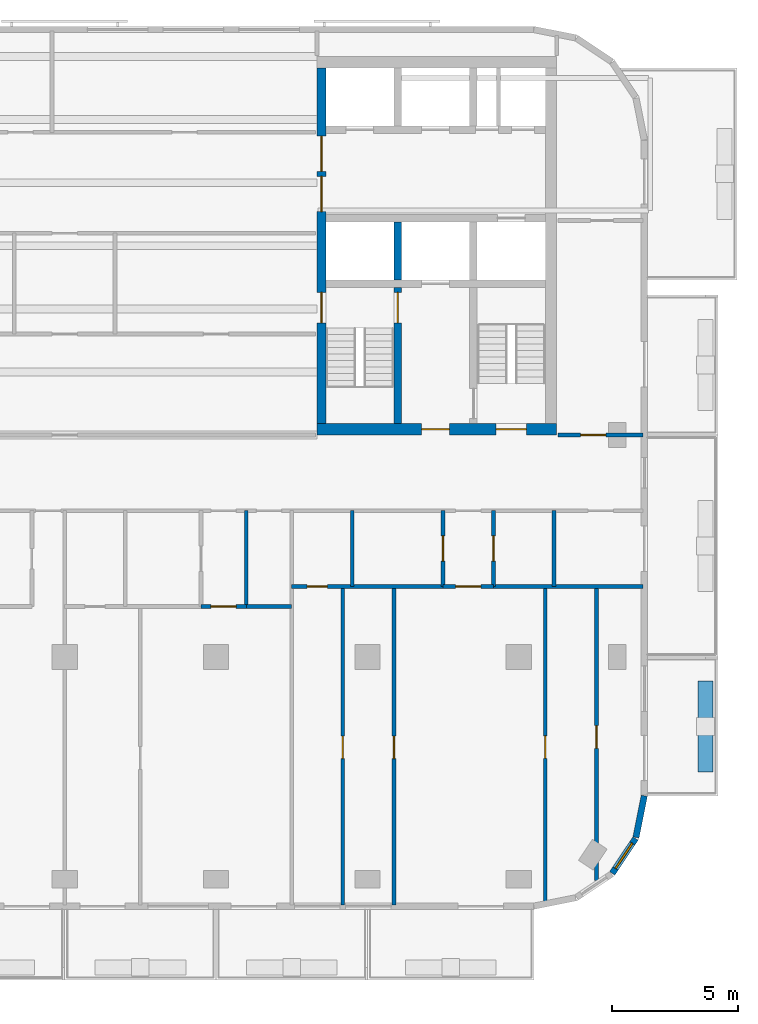
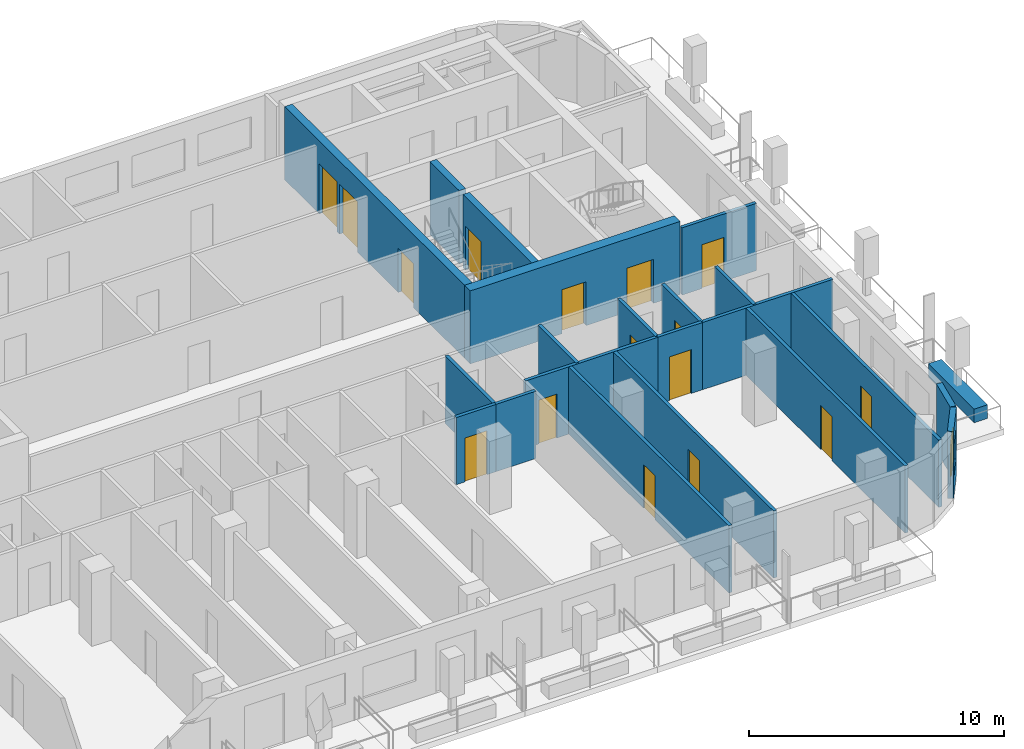
# One storey, part 5 of 11: 22 walls, 16 doors, 1 window, 17 openings.
"""IFC4 building model written with IfcOpenShell, lengths in metres."""

from ifc_helpers import new_model, si_unit, direction, frame, frame_2d, origin, place, context, subcontext, project, spatial, rectangle, extrude, material, layer, layer_set, type_object, element, fill, save


model = new_model("IFC4")

# Units and contexts
model_context = context("Model", 3, precision=1e-05, world=origin(), true_north=direction((0.0, 1.0)))
body_context = subcontext(model_context, "Body", "Model", "MODEL_VIEW")
ifc_project = project(units=[si_unit("LENGTHUNIT", "METRE"), si_unit("AREAUNIT", "SQUARE_METRE"), si_unit("VOLUMEUNIT", "CUBIC_METRE"), si_unit("PLANEANGLEUNIT", "RADIAN"), si_unit("MASSUNIT", "GRAM", prefix="KILO")], contexts=[model_context])

# Site, building, storey
site_placement = place(None, origin())
site = spatial("IfcSite", under=ifc_project, at=site_placement, CompositionType="ELEMENT")
building_placement = place(site_placement, origin())
building = spatial("IfcBuilding", under=site, at=building_placement, Name="Torana Hotel and Residences", CompositionType="ELEMENT")
storey_placement = place(building_placement, frame((0.0, 0.0, 294.60009765625)))
storey = spatial("IfcBuildingStorey", under=building, at=storey_placement, Name="L78", CompositionType="ELEMENT", Elevation=294.60009765625)

# Wall
ifc_material_1 = material(Name="Concrete C60/75", Category="concrete")
ifc_layer_1 = layer(ifc_material_1, 0.300048828125)
ifc_layer_set_1 = layer_set([ifc_layer_1], Name="CORE WALL 300 C60/75")
wall_type_1 = type_object("IfcWallType", Name="CORE WALL 300 C60/75", PredefinedType="SHEAR", material=ifc_layer_set_1)
wall_1_placement = place(storey_placement, frame((13.199951171875, -8.85009765625, 0.0), z_axis=(0.0, 0.0, 1.0), x_axis=(0.0, 1.0, 0.0)))
element("IfcWall", 1, at=wall_1_placement, inside=storey, type_object=wall_type_1, Name="Core wall E x3.05-S", PredefinedType="SHEAR", context=body_context, shape_type="SweptSolid", body=[
    extrude(rectangle(XDim=2.300048828125, YDim=0.300048828125, at=frame_2d((1.14990234375, 0.0))), origin(), (0.0, 0.0, 1.0), 3.5),
])

# Wall, opening, door
wall_2_placement = place(storey_placement, frame((13.199951171875, -14.550048828125, 0.0), z_axis=(0.0, 0.0, 1.0), x_axis=(0.0, 1.0, 0.0)))
wall_2 = element("IfcWall", 2, at=wall_2_placement, inside=storey, type_object=wall_type_1, Name="Core wall E x3.05-band", PredefinedType="SHEAR", context=body_context, shape_type="SweptSolid", body=[
    extrude(rectangle(XDim=5.400146484375, YDim=0.300048828125, at=frame_2d((2.7001953125, 0.0))), origin(), (0.0, 0.0, 1.0), 3.5),
])
opening_1_placement = place(wall_2_placement, frame((4.0, 0.0, 0.0)))
opening_1 = element("IfcOpeningElement", 3, at=opening_1_placement, cuts=wall_2, Name="Opening L78-17", PredefinedType="OPENING", context=body_context, shape_type="SweptSolid", body=[
    extrude(rectangle(XDim=1.199951171875, YDim=2.10009765625, at=frame_2d((0.60009765625, 1.050048828125))), frame((0.0, 0.159912109375, 0.0), z_axis=(0.0, -1.0, 0.0), x_axis=(1.0, 0.0, 0.0)), (0.0, 0.0, 1.0), 0.320068359375),
])
ifc_material_2 = material(Name="Steel S235", Category="steel")
door_type_1 = type_object("IfcDoorType", Name="STAIR FIRE DOOR D3 1200x2100", OperationType="SINGLE_SWING_LEFT", PredefinedType="DOOR", material=ifc_material_2)
door_1_placement = place(opening_1_placement, origin())
door_1 = element("IfcDoor", 4, at=door_1_placement, inside=storey, type_object=door_type_1, Name="Stair-A-lobby door L78", OperationType="SINGLE_SWING_LEFT", OverallHeight=2.10009765625, OverallWidth=1.199951171875, PredefinedType="DOOR", context=body_context, shape_type="SweptSolid", body=[
    extrude(rectangle(XDim=1.199951171875, YDim=2.10009765625, at=frame_2d((0.60009765625, 1.050048828125))), frame((0.0, 0.02490234375, 0.0), z_axis=(0.0, -1.0, 0.0), x_axis=(1.0, 0.0, 0.0)), (0.0, 0.0, 1.0), 0.050048828125),
])
fill(opening_1, door_1)

# Wall, openings, doors
ifc_material_3 = material(Name="Concrete C60/75", Category="concrete")
ifc_layer_2 = layer(ifc_material_3, 0.35009765625)
ifc_layer_set_2 = layer_set([ifc_layer_2], Name="CORE WALL 350 C60/75")
wall_type_2 = type_object("IfcWallType", Name="CORE WALL 350 C60/75", PredefinedType="SHEAR", material=ifc_layer_set_2)
wall_3_placement = place(storey_placement, frame((10.175048828125, -14.550048828125, 0.0), z_axis=(0.0, 0.0, 1.0), x_axis=(0.0, 1.0, 0.0)))
wall_3 = element("IfcWall", 5, at=wall_3_placement, inside=storey, type_object=wall_type_2, Name="Core wall E arch", PredefinedType="SHEAR", context=body_context, shape_type="SweptSolid", body=[
    extrude(rectangle(XDim=14.10009765625, YDim=0.35009765625, at=frame_2d((7.050048828125, 0.0))), origin(), (0.0, 0.0, 1.0), 3.5),
])
opening_2_placement = place(wall_3_placement, frame((8.39990234375, 0.0, 0.0)))
opening_2 = element("IfcOpeningElement", 6, at=opening_2_placement, cuts=wall_3, Name="Opening L78-10", PredefinedType="OPENING", context=body_context, shape_type="SweptSolid", body=[
    extrude(rectangle(XDim=1.39990234375, YDim=2.39990234375, at=frame_2d((0.699951171875, 1.199951171875))), frame((0.0, 0.18505859375, 0.0), z_axis=(0.0, -1.0, 0.0), x_axis=(1.0, 0.0, 0.0)), (0.0, 0.0, 1.0), 0.3701171875),
])
opening_3_placement = place(wall_3_placement, frame((10.0, 0.0, 0.0)))
opening_3 = element("IfcOpeningElement", 7, at=opening_3_placement, cuts=wall_3, Name="Opening L78-11", PredefinedType="OPENING", context=body_context, shape_type="SweptSolid", body=[
    extrude(rectangle(XDim=1.39990234375, YDim=2.39990234375, at=frame_2d((0.699951171875, 1.199951171875))), frame((0.0, 0.18505859375, 0.0), z_axis=(0.0, -1.0, 0.0), x_axis=(1.0, 0.0, 0.0)), (0.0, 0.0, 1.0), 0.3701171875),
])
opening_4_placement = place(wall_3_placement, frame((4.0, 0.0, 0.0)))
opening_4 = element("IfcOpeningElement", 8, at=opening_4_placement, cuts=wall_3, Name="Opening L78-12", PredefinedType="OPENING", context=body_context, shape_type="SweptSolid", body=[
    extrude(rectangle(XDim=1.199951171875, YDim=2.10009765625, at=frame_2d((0.60009765625, 1.050048828125))), frame((0.0, 0.18505859375, 0.0), z_axis=(0.0, -1.0, 0.0), x_axis=(1.0, 0.0, 0.0)), (0.0, 0.0, 1.0), 0.3701171875),
])
ifc_material_4 = material(Name="Steel S235", Category="steel")
door_type_2 = type_object("IfcDoorType", Name="LOBBY FIRE DOOR D4 1400x2400", OperationType="DOUBLE_DOOR_SINGLE_SWING", PredefinedType="DOOR", material=ifc_material_4)
door_2_placement = place(opening_2_placement, origin())
door_2 = element("IfcDoor", 9, at=door_2_placement, inside=storey, type_object=door_type_2, Name="Lobby-1 door L78", OperationType="DOUBLE_DOOR_SINGLE_SWING", OverallHeight=2.39990234375, OverallWidth=1.39990234375, PredefinedType="DOOR", context=body_context, shape_type="SweptSolid", body=[
    extrude(rectangle(XDim=1.39990234375, YDim=2.39990234375, at=frame_2d((0.699951171875, 1.199951171875))), frame((0.0, 0.02490234375, 0.0), z_axis=(0.0, -1.0, 0.0), x_axis=(1.0, 0.0, 0.0)), (0.0, 0.0, 1.0), 0.050048828125),
])
fill(opening_2, door_2)
door_3_placement = place(opening_3_placement, origin())
door_3 = element("IfcDoor", 10, at=door_3_placement, inside=storey, type_object=door_type_2, Name="Lobby-2 door L78", OperationType="DOUBLE_DOOR_SINGLE_SWING", OverallHeight=2.39990234375, OverallWidth=1.39990234375, PredefinedType="DOOR", context=body_context, shape_type="SweptSolid", body=[
    extrude(rectangle(XDim=1.39990234375, YDim=2.39990234375, at=frame_2d((0.699951171875, 1.199951171875))), frame((0.0, 0.02490234375, 0.0), z_axis=(0.0, -1.0, 0.0), x_axis=(1.0, 0.0, 0.0)), (0.0, 0.0, 1.0), 0.050048828125),
])
fill(opening_3, door_3)
door_4_placement = place(opening_4_placement, frame((0.60009765625, 0.0, 0.0), z_axis=(0.0, 0.0, 1.0), x_axis=(-1.0, 0.0, 0.0)))
door_4 = element("IfcDoor", 11, at=door_4_placement, inside=storey, type_object=door_type_1, Name="Stair-A door L78", OperationType="SINGLE_SWING_RIGHT", OverallHeight=2.10009765625, OverallWidth=1.199951171875, PredefinedType="DOOR", context=body_context, shape_type="SweptSolid", body=[
    extrude(rectangle(XDim=1.199951171875, YDim=2.10009765625, at=frame_2d((0.0, 1.050048828125))), frame((0.0, -0.02490234375, 0.0), z_axis=(0.0, 1.0, 0.0), x_axis=(-1.0, 0.0, 0.0)), (0.0, 0.0, 1.0), 0.050048828125),
])
fill(opening_4, door_4)

ifc_material_5 = material(Name="Concrete C60/75", Category="concrete")
ifc_layer_3 = layer(ifc_material_5, 0.449951171875)
ifc_layer_set_3 = layer_set([ifc_layer_3], Name="CORE WALL 450 C60/75")
wall_type_3 = type_object("IfcWallType", Name="CORE WALL 450 C60/75", PredefinedType="SHEAR", material=ifc_layer_set_3)
wall_4_placement = place(storey_placement, frame((10.0, -14.77490234375, 0.0), z_axis=(0.0, 0.0, 1.0), x_axis=(1.0, 0.0, 0.0)))
wall_4 = element("IfcWall", 12, at=wall_4_placement, inside=storey, type_object=wall_type_3, Name="Core wall E front", PredefinedType="SHEAR", context=body_context, shape_type="SweptSolid", body=[
    extrude(rectangle(XDim=9.5, YDim=0.449951171875, at=frame_2d((4.75, 0.0))), origin(), (0.0, 0.0, 1.0), 3.5),
])
opening_5_placement = place(wall_4_placement, frame((7.10009765625, 0.0, 0.0)))
opening_5 = element("IfcOpeningElement", 13, at=opening_5_placement, cuts=wall_4, Name="Opening L78-13", PredefinedType="OPENING", context=body_context, shape_type="SweptSolid", body=[
    extrude(rectangle(XDim=1.199951171875, YDim=2.10009765625, at=frame_2d((0.60009765625, 1.050048828125))), frame((0.0, 0.23486328125, 0.0), z_axis=(0.0, -1.0, 0.0), x_axis=(1.0, 0.0, 0.0)), (0.0, 0.0, 1.0), 0.469970703125),
])
opening_6_placement = place(wall_4_placement, frame((4.14990234375, 0.0, 0.0)))
opening_6 = element("IfcOpeningElement", 14, at=opening_6_placement, cuts=wall_4, Name="Opening L78-14", PredefinedType="OPENING", context=body_context, shape_type="SweptSolid", body=[
    extrude(rectangle(XDim=1.10009765625, YDim=2.10009765625, at=frame_2d((0.550048828125, 1.050048828125))), frame((0.0, 0.23486328125, 0.0), z_axis=(0.0, -1.0, 0.0), x_axis=(1.0, 0.0, 0.0)), (0.0, 0.0, 1.0), 0.469970703125),
])
ifc_material_6 = material(Name="Steel S235", Category="steel")
door_type_3 = type_object("IfcDoorType", Name="FIRE-FIGHTING LOBBY DOOR D8 1100x2100", OperationType="SINGLE_SWING_LEFT", PredefinedType="DOOR", material=ifc_material_6)
door_5_placement = place(opening_6_placement, origin())
door_5 = element("IfcDoor", 15, at=door_5_placement, inside=storey, type_object=door_type_3, Name="FF-lobby door L78", OperationType="SINGLE_SWING_RIGHT", OverallHeight=2.10009765625, OverallWidth=1.10009765625, PredefinedType="DOOR", context=body_context, shape_type="SweptSolid", body=[
    extrude(rectangle(XDim=1.10009765625, YDim=2.10009765625, at=frame_2d((0.550048828125, 1.050048828125))), frame((0.0, 0.02490234375, 0.0), z_axis=(0.0, -1.0, 0.0), x_axis=(1.0, 0.0, 0.0)), (0.0, 0.0, 1.0), 0.050048828125),
])
fill(opening_6, door_5)
door_6_placement = place(opening_5_placement, origin())
door_6 = element("IfcDoor", 16, at=door_6_placement, inside=storey, type_object=door_type_1, Name="Stair-B door L78", OperationType="SINGLE_SWING_RIGHT", OverallHeight=2.10009765625, OverallWidth=1.199951171875, PredefinedType="DOOR", context=body_context, shape_type="SweptSolid", body=[
    extrude(rectangle(XDim=1.199951171875, YDim=2.10009765625, at=frame_2d((0.60009765625, 1.050048828125))), frame((0.0, 0.02490234375, 0.0), z_axis=(0.0, -1.0, 0.0), x_axis=(1.0, 0.0, 0.0)), (0.0, 0.0, 1.0), 0.050048828125),
])
fill(opening_5, door_6)

# Wall, opening, window
ifc_material_7 = material(Name="Black aluminium composite panel", Category="aluminium")
ifc_layer_4 = layer(ifc_material_7, 0.00390625, Name="Cladding", Category="cladding")
ifc_material_8 = material(Name="Ventilated air cavity")
ifc_layer_5 = layer(ifc_material_8, 0.0400390625, Name="Ventilated cavity", Category="cavity")
ifc_material_9 = material(Name="Mineral wool insulation")
ifc_layer_6 = layer(ifc_material_9, 0.090087890625, Name="Insulation", Category="insulation")
ifc_material_10 = material(Name="Steel S280GD", Category="steel")
ifc_layer_7 = layer(ifc_material_10, 0.092041015625, Name="Steel stud frame", Category="structure")
ifc_material_11 = material(Name="Fire rated plasterboard")
ifc_layer_8 = layer(ifc_material_11, 0.011962890625, Name="Inner board", Category="finish")
ifc_layer_9 = layer(ifc_material_11, 0.011962890625, Name="Second board", Category="finish")
ifc_layer_set_4 = layer_set([ifc_layer_4, ifc_layer_5, ifc_layer_6, ifc_layer_7, ifc_layer_8, ifc_layer_9], Name="EW1 EXTERNAL WALL BLACK METAL CLAD 250")
wall_type_4 = type_object("IfcWallType", Name="EW1 EXTERNAL WALL BLACK METAL CLAD 250", PredefinedType="SOLIDWALL", material=ifc_layer_set_4)
wall_5_placement = place(storey_placement, frame((21.705810546875, -32.37109375, 0.0), z_axis=(0.0, 0.0, 1.0), x_axis=(0.55555029066, 0.831482937015, 0.0)))
wall_5 = element("IfcWall", 17, at=wall_5_placement, inside=storey, type_object=wall_type_4, Name="External wall L78 e0.17", PredefinedType="SOLIDWALL", context=body_context, shape_type="SweptSolid", body=[
    extrude(rectangle(XDim=1.65625, YDim=0.25, at=frame_2d((0.828125, 0.0))), origin(), (0.0, 0.0, 1.0), 3.219970703125),
])
opening_7_placement = place(wall_5_placement, frame((0.228271484375, 0.0, 0.89990234375)))
opening_7 = element("IfcOpeningElement", 18, at=opening_7_placement, cuts=wall_5, Name="Opening W5", PredefinedType="OPENING", context=body_context, shape_type="SweptSolid", body=[
    extrude(rectangle(XDim=1.199951171875, YDim=1.5, at=frame_2d((0.60009765625, 0.75))), frame((0.0, 0.135009765625, 0.0), z_axis=(0.0, -1.0, 0.0), x_axis=(1.0, 0.0, 0.0)), (0.0, 0.0, 1.0), 0.27001953125),
])
ifc_material_12 = material(Name="Dark glass in black aluminium frame", Category="aluminium")
window_type = type_object("IfcWindowType", Name="W5 CORNER FACET WINDOW 1200x1500", PartitioningType="SINGLE_PANEL", PredefinedType="WINDOW", material=ifc_material_12)
window_placement = place(opening_7_placement, origin())
window = element("IfcWindow", 19, at=window_placement, inside=storey, type_object=window_type, Name="Window L78 e0.17", OverallHeight=1.5, OverallWidth=1.199951171875, PartitioningType="SINGLE_PANEL", PredefinedType="WINDOW", context=body_context, shape_type="SweptSolid", body=[
    extrude(rectangle(XDim=1.199951171875, YDim=1.5, at=frame_2d((0.60009765625, 0.75))), frame((0.0, 0.030029296875, 0.0), z_axis=(0.0, -1.0, 0.0), x_axis=(1.0, 0.0, 0.0)), (0.0, 0.0, 1.0), 0.06005859375),
])
fill(opening_7, window)

# Wall
wall_6_placement = place(storey_placement, frame((22.64453125, -30.948974609375, 0.0), z_axis=(0.0, 0.0, 1.0), x_axis=(0.19513878023, 0.980775640221, 0.0)))
element("IfcWall", 20, at=wall_6_placement, inside=storey, type_object=wall_type_4, Name="External wall L78 e0.18", PredefinedType="SOLIDWALL", context=body_context, shape_type="SweptSolid", body=[
    extrude(rectangle(XDim=1.681396484375, YDim=0.25, at=frame_2d((0.8408203125, 0.0))), origin(), (0.0, 0.0, 1.0), 3.219970703125),
])

# Wall, opening, door
ifc_material_13 = material(Name="Gypsum plaster")
ifc_layer_10 = layer(ifc_material_13, 0.014892578125, Name="Plaster", Category="finish")
ifc_material_14 = material(Name="Concrete blockwork", Category="masonry")
ifc_layer_11 = layer(ifc_material_14, 0.1201171875, Name="Blockwork", Category="structure")
ifc_layer_12 = layer(ifc_material_13, 0.014892578125, Name="Plaster", Category="finish")
ifc_layer_set_5 = layer_set([ifc_layer_10, ifc_layer_11, ifc_layer_12], Name="FIRE PARTITION 150 BLOCKWORK")
wall_type_5 = type_object("IfcWallType", Name="FIRE PARTITION 150 BLOCKWORK", PredefinedType="PARTITIONING", material=ifc_layer_set_5)
wall_7_placement = place(storey_placement, frame((17.0, -21.0, 0.0), z_axis=(0.0, 0.0, 1.0), x_axis=(0.0, 1.0, 0.0)))
wall_7 = element("IfcWall", 21, at=wall_7_placement, inside=storey, type_object=wall_type_5, Name="Partition L78", PredefinedType="PARTITIONING", context=body_context, shape_type="SweptSolid", body=[
    extrude(rectangle(XDim=3.0, YDim=0.14990234375, at=frame_2d((1.5, 0.0))), origin(), (0.0, 0.0, 1.0), 3.219970703125),
])
opening_8_placement = place(wall_7_placement, frame((1.0, 0.0, 0.0)))
opening_8 = element("IfcOpeningElement", 22, at=opening_8_placement, cuts=wall_7, Name="Opening L78-54", PredefinedType="OPENING", context=body_context, shape_type="SweptSolid", body=[
    extrude(rectangle(XDim=1.0, YDim=2.10009765625, at=frame_2d((0.5, 1.050048828125))), frame((0.0, 0.0849609375, 0.0), z_axis=(0.0, -1.0, 0.0), x_axis=(1.0, 0.0, 0.0)), (0.0, 0.0, 1.0), 0.169921875),
])
ifc_material_15 = material(Name="Steel S235", Category="steel")
door_type_4 = type_object("IfcDoorType", Name="ENTRY FIRE DOOR D6 1000x2100", OperationType="SINGLE_SWING_LEFT", PredefinedType="DOOR", material=ifc_material_15)
door_7_placement = place(opening_8_placement, frame((0.5, 0.0, 0.0), z_axis=(0.0, 0.0, 1.0), x_axis=(-1.0, 0.0, 0.0)))
door_7 = element("IfcDoor", 23, at=door_7_placement, inside=storey, type_object=door_type_4, Name="Door L78", OperationType="SINGLE_SWING_LEFT", OverallHeight=2.10009765625, OverallWidth=1.0, PredefinedType="DOOR", context=body_context, shape_type="SweptSolid", body=[
    extrude(rectangle(XDim=1.0, YDim=2.10009765625, at=frame_2d((0.0, 1.050048828125))), frame((0.0, -0.02490234375, 0.0), z_axis=(0.0, 1.0, 0.0), x_axis=(-1.0, 0.0, 0.0)), (0.0, 0.0, 1.0), 0.050048828125),
])
fill(opening_8, door_7)

wall_8_placement = place(storey_placement, frame((15.0, -21.0, 0.0), z_axis=(0.0, 0.0, 1.0), x_axis=(0.0, 1.0, 0.0)))
wall_8 = element("IfcWall", 24, at=wall_8_placement, inside=storey, type_object=wall_type_5, Name="Partition L78", PredefinedType="PARTITIONING", context=body_context, shape_type="SweptSolid", body=[
    extrude(rectangle(XDim=3.0, YDim=0.14990234375, at=frame_2d((1.5, 0.0))), origin(), (0.0, 0.0, 1.0), 3.219970703125),
])
opening_9_placement = place(wall_8_placement, frame((1.0, 0.0, 0.0)))
opening_9 = element("IfcOpeningElement", 25, at=opening_9_placement, cuts=wall_8, Name="Opening L78-53", PredefinedType="OPENING", context=body_context, shape_type="SweptSolid", body=[
    extrude(rectangle(XDim=1.0, YDim=2.10009765625, at=frame_2d((0.5, 1.050048828125))), frame((0.0, 0.0849609375, 0.0), z_axis=(0.0, -1.0, 0.0), x_axis=(1.0, 0.0, 0.0)), (0.0, 0.0, 1.0), 0.169921875),
])
door_8_placement = place(opening_9_placement, origin())
door_8 = element("IfcDoor", 26, at=door_8_placement, inside=storey, type_object=door_type_4, Name="Door L78", OperationType="SINGLE_SWING_RIGHT", OverallHeight=2.10009765625, OverallWidth=1.0, PredefinedType="DOOR", context=body_context, shape_type="SweptSolid", body=[
    extrude(rectangle(XDim=1.0, YDim=2.10009765625, at=frame_2d((0.5, 1.050048828125))), frame((0.0, 0.02490234375, 0.0), z_axis=(0.0, -1.0, 0.0), x_axis=(1.0, 0.0, 0.0)), (0.0, 0.0, 1.0), 0.050048828125),
])
fill(opening_9, door_8)

# Wall
wall_9_placement = place(storey_placement, frame((7.199951171875, -21.800048828125, 0.0), z_axis=(0.0, 0.0, 1.0), x_axis=(0.0, 1.0, 0.0)))
element("IfcWall", 27, at=wall_9_placement, inside=storey, type_object=wall_type_5, Name="Partition L78", PredefinedType="PARTITIONING", context=body_context, shape_type="SweptSolid", body=[
    extrude(rectangle(XDim=3.800048828125, YDim=0.14990234375, at=frame_2d((1.89990234375, 0.0))), origin(), (0.0, 0.0, 1.0), 3.219970703125),
])

# Wall, opening, door
wall_10_placement = place(storey_placement, frame((5.39990234375, -21.800048828125, 0.0), z_axis=(0.0, 0.0, 1.0), x_axis=(1.0, 0.0, 0.0)))
wall_10 = element("IfcWall", 28, at=wall_10_placement, inside=storey, type_object=wall_type_5, Name="Partition L78", PredefinedType="PARTITIONING", context=body_context, shape_type="SweptSolid", body=[
    extrude(rectangle(XDim=1.800048828125, YDim=0.14990234375, at=frame_2d((0.89990234375, 0.0))), origin(), (0.0, 0.0, 1.0), 3.219970703125),
])
opening_10_placement = place(wall_10_placement, frame((0.39990234375, 0.0, 0.0)))
opening_10 = element("IfcOpeningElement", 29, at=opening_10_placement, cuts=wall_10, Name="Opening L78-42", PredefinedType="OPENING", context=body_context, shape_type="SweptSolid", body=[
    extrude(rectangle(XDim=1.0, YDim=2.10009765625, at=frame_2d((0.5, 1.050048828125))), frame((0.0, 0.0849609375, 0.0), z_axis=(0.0, -1.0, 0.0), x_axis=(1.0, 0.0, 0.0)), (0.0, 0.0, 1.0), 0.169921875),
])
door_9_placement = place(opening_10_placement, frame((0.5, 0.0, 0.0), z_axis=(0.0, 0.0, 1.0), x_axis=(-1.0, 0.0, 0.0)))
door_9 = element("IfcDoor", 30, at=door_9_placement, inside=storey, type_object=door_type_4, Name="Door L78", OperationType="SINGLE_SWING_LEFT", OverallHeight=2.10009765625, OverallWidth=1.0, PredefinedType="DOOR", context=body_context, shape_type="SweptSolid", body=[
    extrude(rectangle(XDim=1.0, YDim=2.10009765625, at=frame_2d((0.0, 1.050048828125))), frame((0.0, -0.02490234375, 0.0), z_axis=(0.0, 1.0, 0.0), x_axis=(-1.0, 0.0, 0.0)), (0.0, 0.0, 1.0), 0.050048828125),
])
fill(opening_10, door_9)

wall_11_placement = place(storey_placement, frame((15.0, -21.0, 0.0), z_axis=(0.0, 0.0, 1.0), x_axis=(1.0, 0.0, 0.0)))
wall_11 = element("IfcWall", 31, at=wall_11_placement, inside=storey, type_object=wall_type_5, Name="Partition L78", PredefinedType="PARTITIONING", context=body_context, shape_type="SweptSolid", body=[
    extrude(rectangle(XDim=2.0, YDim=0.14990234375, at=frame_2d((1.0, 0.0))), origin(), (0.0, 0.0, 1.0), 3.219970703125),
])
opening_11_placement = place(wall_11_placement, frame((0.5, 0.0, 0.0)))
opening_11 = element("IfcOpeningElement", 32, at=opening_11_placement, cuts=wall_11, Name="Opening L78-55", PredefinedType="OPENING", context=body_context, shape_type="SweptSolid", body=[
    extrude(rectangle(XDim=1.0, YDim=2.10009765625, at=frame_2d((0.5, 1.050048828125))), frame((0.0, 0.0849609375, 0.0), z_axis=(0.0, -1.0, 0.0), x_axis=(1.0, 0.0, 0.0)), (0.0, 0.0, 1.0), 0.169921875),
])
door_10_placement = place(opening_11_placement, frame((0.5, 0.0, 0.0), z_axis=(0.0, 0.0, 1.0), x_axis=(-1.0, 0.0, 0.0)))
door_10 = element("IfcDoor", 33, at=door_10_placement, inside=storey, type_object=door_type_4, Name="Door L78", OperationType="SINGLE_SWING_LEFT", OverallHeight=2.10009765625, OverallWidth=1.0, PredefinedType="DOOR", context=body_context, shape_type="SweptSolid", body=[
    extrude(rectangle(XDim=1.0, YDim=2.10009765625, at=frame_2d((0.0, 1.050048828125))), frame((0.0, -0.02490234375, 0.0), z_axis=(0.0, 1.0, 0.0), x_axis=(-1.0, 0.0, 0.0)), (0.0, 0.0, 1.0), 0.050048828125),
])
fill(opening_11, door_10)

wall_12_placement = place(storey_placement, frame((19.550048828125, -15.0, 0.0), z_axis=(0.0, 0.0, 1.0), x_axis=(1.0, 0.0, 0.0)))
wall_12 = element("IfcWall", 34, at=wall_12_placement, inside=storey, type_object=wall_type_5, Name="Partition L78", PredefinedType="PARTITIONING", context=body_context, shape_type="SweptSolid", body=[
    extrude(rectangle(XDim=3.369873046875, YDim=0.14990234375, at=frame_2d((1.68505859375, 0.0))), origin(), (0.0, 0.0, 1.0), 3.219970703125),
])
opening_12_placement = place(wall_12_placement, frame((0.89990234375, 0.0, 0.0)))
opening_12 = element("IfcOpeningElement", 35, at=opening_12_placement, cuts=wall_12, Name="Opening L78-29", PredefinedType="OPENING", context=body_context, shape_type="SweptSolid", body=[
    extrude(rectangle(XDim=1.0, YDim=2.10009765625, at=frame_2d((0.5, 1.050048828125))), frame((0.0, 0.0849609375, 0.0), z_axis=(0.0, -1.0, 0.0), x_axis=(1.0, 0.0, 0.0)), (0.0, 0.0, 1.0), 0.169921875),
])
ifc_material_16 = material(Name="Steel S235", Category="steel")
door_type_5 = type_object("IfcDoorType", Name="CORE ROOM FIRE DOOR D14 1000x2100", OperationType="SINGLE_SWING_LEFT", PredefinedType="DOOR", material=ifc_material_16)
door_11_placement = place(opening_12_placement, origin())
door_11 = element("IfcDoor", 36, at=door_11_placement, inside=storey, type_object=door_type_5, Name="Door L78", OperationType="SINGLE_SWING_LEFT", OverallHeight=2.10009765625, OverallWidth=1.0, PredefinedType="DOOR", context=body_context, shape_type="SweptSolid", body=[
    extrude(rectangle(XDim=1.0, YDim=2.10009765625, at=frame_2d((0.5, 1.050048828125))), frame((0.0, 0.02490234375, 0.0), z_axis=(0.0, -1.0, 0.0), x_axis=(1.0, 0.0, 0.0)), (0.0, 0.0, 1.0), 0.050048828125),
])
fill(opening_12, door_11)

ifc_material_17 = material(Name="Gypsum plasterboard")
ifc_layer_13 = layer(ifc_material_17, 0.012451171875, Name="Plasterboard", Category="finish")
ifc_layer_14 = layer(ifc_material_17, 0.012451171875, Name="Plasterboard", Category="finish")
ifc_layer_15 = layer(ifc_material_10, 0.10009765625, Name="Steel studs with mineral wool", Category="insulation")
ifc_layer_16 = layer(ifc_material_17, 0.012451171875, Name="Plasterboard", Category="finish")
ifc_layer_17 = layer(ifc_material_17, 0.012451171875, Name="Plasterboard", Category="finish")
ifc_layer_set_6 = layer_set([ifc_layer_13, ifc_layer_14, ifc_layer_15, ifc_layer_16, ifc_layer_17], Name="PARTITION 150 PLASTERBOARD")
wall_type_6 = type_object("IfcWallType", Name="PARTITION 150 PLASTERBOARD", PredefinedType="PARTITIONING", material=ifc_layer_set_6)
wall_13_placement = place(storey_placement, frame((21.074951171875, -32.665771484375, 0.0), z_axis=(0.0, 0.0, 1.0), x_axis=(0.0, 1.0, 0.0)))
wall_13 = element("IfcWall", 37, at=wall_13_placement, inside=storey, type_object=wall_type_6, Name="Partition L78", PredefinedType="PARTITIONING", context=body_context, shape_type="SweptSolid", body=[
    extrude(rectangle(XDim=11.665771484375, YDim=0.14990234375, at=frame_2d((5.8330078125, 0.0))), origin(), (0.0, 0.0, 1.0), 3.219970703125),
])
opening_13_placement = place(wall_13_placement, frame((5.245849609375, 0.0, 0.0)))
opening_13 = element("IfcOpeningElement", 38, at=opening_13_placement, cuts=wall_13, Name="Opening L78-59", PredefinedType="OPENING", context=body_context, shape_type="SweptSolid", body=[
    extrude(rectangle(XDim=0.89990234375, YDim=2.10009765625, at=frame_2d((0.449951171875, 1.050048828125))), frame((0.0, 0.0849609375, 0.0), z_axis=(0.0, -1.0, 0.0), x_axis=(1.0, 0.0, 0.0)), (0.0, 0.0, 1.0), 0.169921875),
])
ifc_material_18 = material(Name="Timber door, oiled ash", Category="wood")
door_type_6 = type_object("IfcDoorType", Name="ROOM DOOR D7 900x2100", OperationType="SINGLE_SWING_LEFT", PredefinedType="DOOR", material=ifc_material_18)
door_12_placement = place(opening_13_placement, origin())
door_12 = element("IfcDoor", 39, at=door_12_placement, inside=storey, type_object=door_type_6, Name="Door L78", OperationType="SINGLE_SWING_RIGHT", OverallHeight=2.10009765625, OverallWidth=0.89990234375, PredefinedType="DOOR", context=body_context, shape_type="SweptSolid", body=[
    extrude(rectangle(XDim=0.89990234375, YDim=2.10009765625, at=frame_2d((0.449951171875, 1.050048828125))), frame((0.0, 0.02490234375, 0.0), z_axis=(0.0, -1.0, 0.0), x_axis=(1.0, 0.0, 0.0)), (0.0, 0.0, 1.0), 0.050048828125),
])
fill(opening_13, door_12)

# Wall
wall_14_placement = place(storey_placement, frame((19.39990234375, -21.0, 0.0), z_axis=(0.0, 0.0, 1.0), x_axis=(0.0, 1.0, 0.0)))
element("IfcWall", 40, at=wall_14_placement, inside=storey, type_object=wall_type_6, Name="Partition L78", PredefinedType="PARTITIONING", context=body_context, shape_type="SweptSolid", body=[
    extrude(rectangle(XDim=3.0, YDim=0.14990234375, at=frame_2d((1.5, 0.0))), origin(), (0.0, 0.0, 1.0), 3.219970703125),
])

# Wall, opening, door
wall_15_placement = place(storey_placement, frame((19.050048828125, -33.527099609375, 0.0), z_axis=(0.0, 0.0, 1.0), x_axis=(0.0, 1.0, 0.0)))
wall_15 = element("IfcWall", 41, at=wall_15_placement, inside=storey, type_object=wall_type_6, Name="Partition L78", PredefinedType="PARTITIONING", context=body_context, shape_type="SweptSolid", body=[
    extrude(rectangle(XDim=12.527099609375, YDim=0.14990234375, at=frame_2d((6.263671875, 0.0))), origin(), (0.0, 0.0, 1.0), 3.219970703125),
])
opening_14_placement = place(wall_15_placement, frame((5.70703125, 0.0, 0.0)))
opening_14 = element("IfcOpeningElement", 42, at=opening_14_placement, cuts=wall_15, Name="Opening L78-57", PredefinedType="OPENING", context=body_context, shape_type="SweptSolid", body=[
    extrude(rectangle(XDim=0.89990234375, YDim=2.10009765625, at=frame_2d((0.449951171875, 1.050048828125))), frame((0.0, 0.0849609375, 0.0), z_axis=(0.0, -1.0, 0.0), x_axis=(1.0, 0.0, 0.0)), (0.0, 0.0, 1.0), 0.169921875),
])
door_13_placement = place(opening_14_placement, origin())
door_13 = element("IfcDoor", 43, at=door_13_placement, inside=storey, type_object=door_type_6, Name="Door L78", OperationType="SINGLE_SWING_RIGHT", OverallHeight=2.10009765625, OverallWidth=0.89990234375, PredefinedType="DOOR", context=body_context, shape_type="SweptSolid", body=[
    extrude(rectangle(XDim=0.89990234375, YDim=2.10009765625, at=frame_2d((0.449951171875, 1.050048828125))), frame((0.0, 0.02490234375, 0.0), z_axis=(0.0, -1.0, 0.0), x_axis=(1.0, 0.0, 0.0)), (0.0, 0.0, 1.0), 0.050048828125),
])
fill(opening_14, door_13)

wall_16_placement = place(storey_placement, frame((13.050048828125, -33.6201171875, 0.0), z_axis=(0.0, 0.0, 1.0), x_axis=(0.0, 1.0, 0.0)))
wall_16 = element("IfcWall", 44, at=wall_16_placement, inside=storey, type_object=wall_type_6, Name="Partition L78", PredefinedType="PARTITIONING", context=body_context, shape_type="SweptSolid", body=[
    extrude(rectangle(XDim=12.6201171875, YDim=0.14990234375, at=frame_2d((6.31005859375, 0.0))), origin(), (0.0, 0.0, 1.0), 3.219970703125),
])
opening_15_placement = place(wall_16_placement, frame((5.7900390625, 0.0, 0.0)))
opening_15 = element("IfcOpeningElement", 45, at=opening_15_placement, cuts=wall_16, Name="Opening L78-56", PredefinedType="OPENING", context=body_context, shape_type="SweptSolid", body=[
    extrude(rectangle(XDim=0.89990234375, YDim=2.10009765625, at=frame_2d((0.449951171875, 1.050048828125))), frame((0.0, 0.0849609375, 0.0), z_axis=(0.0, -1.0, 0.0), x_axis=(1.0, 0.0, 0.0)), (0.0, 0.0, 1.0), 0.169921875),
])
door_14_placement = place(opening_15_placement, origin())
door_14 = element("IfcDoor", 46, at=door_14_placement, inside=storey, type_object=door_type_6, Name="Door L78", OperationType="SINGLE_SWING_RIGHT", OverallHeight=2.10009765625, OverallWidth=0.89990234375, PredefinedType="DOOR", context=body_context, shape_type="SweptSolid", body=[
    extrude(rectangle(XDim=0.89990234375, YDim=2.10009765625, at=frame_2d((0.449951171875, 1.050048828125))), frame((0.0, 0.02490234375, 0.0), z_axis=(0.0, -1.0, 0.0), x_axis=(1.0, 0.0, 0.0)), (0.0, 0.0, 1.0), 0.050048828125),
])
fill(opening_15, door_14)

# Wall
wall_17_placement = place(storey_placement, frame((11.39990234375, -21.0, 0.0), z_axis=(0.0, 0.0, 1.0), x_axis=(0.0, 1.0, 0.0)))
element("IfcWall", 47, at=wall_17_placement, inside=storey, type_object=wall_type_6, Name="Partition L78", PredefinedType="PARTITIONING", context=body_context, shape_type="SweptSolid", body=[
    extrude(rectangle(XDim=3.0, YDim=0.14990234375, at=frame_2d((1.5, 0.0))), origin(), (0.0, 0.0, 1.0), 3.219970703125),
])

# Wall, opening, door
wall_18_placement = place(storey_placement, frame((11.02490234375, -33.6201171875, 0.0), z_axis=(0.0, 0.0, 1.0), x_axis=(0.0, 1.0, 0.0)))
wall_18 = element("IfcWall", 48, at=wall_18_placement, inside=storey, type_object=wall_type_6, Name="Partition L78", PredefinedType="PARTITIONING", context=body_context, shape_type="SweptSolid", body=[
    extrude(rectangle(XDim=12.6201171875, YDim=0.14990234375, at=frame_2d((6.31005859375, 0.0))), origin(), (0.0, 0.0, 1.0), 3.219970703125),
])
opening_16_placement = place(wall_18_placement, frame((5.7900390625, 0.0, 0.0)))
opening_16 = element("IfcOpeningElement", 49, at=opening_16_placement, cuts=wall_18, Name="Opening L78-58", PredefinedType="OPENING", context=body_context, shape_type="SweptSolid", body=[
    extrude(rectangle(XDim=0.89990234375, YDim=2.10009765625, at=frame_2d((0.449951171875, 1.050048828125))), frame((0.0, 0.0849609375, 0.0), z_axis=(0.0, -1.0, 0.0), x_axis=(1.0, 0.0, 0.0)), (0.0, 0.0, 1.0), 0.169921875),
])
door_15_placement = place(opening_16_placement, origin())
door_15 = element("IfcDoor", 50, at=door_15_placement, inside=storey, type_object=door_type_6, Name="Door L78", OperationType="SINGLE_SWING_RIGHT", OverallHeight=2.10009765625, OverallWidth=0.89990234375, PredefinedType="DOOR", context=body_context, shape_type="SweptSolid", body=[
    extrude(rectangle(XDim=0.89990234375, YDim=2.10009765625, at=frame_2d((0.449951171875, 1.050048828125))), frame((0.0, 0.02490234375, 0.0), z_axis=(0.0, -1.0, 0.0), x_axis=(1.0, 0.0, 0.0)), (0.0, 0.0, 1.0), 0.050048828125),
])
fill(opening_16, door_15)

# Wall
wall_19_placement = place(storey_placement, frame((7.199951171875, -21.800048828125, 0.0), z_axis=(0.0, 0.0, 1.0), x_axis=(1.0, 0.0, 0.0)))
element("IfcWall", 51, at=wall_19_placement, inside=storey, type_object=wall_type_6, Name="Partition L78", PredefinedType="PARTITIONING", context=body_context, shape_type="SweptSolid", body=[
    extrude(rectangle(XDim=1.800048828125, YDim=0.14990234375, at=frame_2d((0.89990234375, 0.0))), origin(), (0.0, 0.0, 1.0), 3.219970703125),
])

# Wall, opening, door
wall_20_placement = place(storey_placement, frame((9.0, -21.0, 0.0), z_axis=(0.0, 0.0, 1.0), x_axis=(1.0, 0.0, 0.0)))
wall_20 = element("IfcWall", 52, at=wall_20_placement, inside=storey, type_object=wall_type_6, Name="Partition L78", PredefinedType="PARTITIONING", context=body_context, shape_type="SweptSolid", body=[
    extrude(rectangle(XDim=6.0, YDim=0.14990234375, at=frame_2d((3.0, 0.0))), origin(), (0.0, 0.0, 1.0), 3.219970703125),
])
opening_17_placement = place(wall_20_placement, frame((0.612060546875, 0.0, 0.0)))
opening_17 = element("IfcOpeningElement", 53, at=opening_17_placement, cuts=wall_20, Name="Opening L78-52", PredefinedType="OPENING", context=body_context, shape_type="SweptSolid", body=[
    extrude(rectangle(XDim=0.800048828125, YDim=2.10009765625, at=frame_2d((0.39990234375, 1.050048828125))), frame((0.0, 0.0849609375, 0.0), z_axis=(0.0, -1.0, 0.0), x_axis=(1.0, 0.0, 0.0)), (0.0, 0.0, 1.0), 0.169921875),
])
ifc_material_19 = material(Name="Timber door, painted", Category="wood")
door_type_7 = type_object("IfcDoorType", Name="BATH DOOR D13 800x2100", OperationType="SINGLE_SWING_LEFT", PredefinedType="DOOR", material=ifc_material_19)
door_16_placement = place(opening_17_placement, origin())
door_16 = element("IfcDoor", 54, at=door_16_placement, inside=storey, type_object=door_type_7, Name="Door L78", OperationType="SINGLE_SWING_RIGHT", OverallHeight=2.10009765625, OverallWidth=0.800048828125, PredefinedType="DOOR", context=body_context, shape_type="SweptSolid", body=[
    extrude(rectangle(XDim=0.800048828125, YDim=2.10009765625, at=frame_2d((0.39990234375, 1.050048828125))), frame((0.0, 0.02490234375, 0.0), z_axis=(0.0, -1.0, 0.0), x_axis=(1.0, 0.0, 0.0)), (0.0, 0.0, 1.0), 0.050048828125),
])
fill(opening_17, door_16)

# Walls
wall_21_placement = place(storey_placement, frame((17.0, -21.0, 0.0), z_axis=(0.0, 0.0, 1.0), x_axis=(1.0, 0.0, 0.0)))
element("IfcWall", 55, at=wall_21_placement, inside=storey, type_object=wall_type_6, Name="Partition L78", PredefinedType="PARTITIONING", context=body_context, shape_type="SweptSolid", body=[
    extrude(rectangle(XDim=5.919921875, YDim=0.14990234375, at=frame_2d((2.9599609375, 0.0))), origin(), (0.0, 0.0, 1.0), 3.219970703125),
])
ifc_material_20 = material(Name="Concrete C40/50 precast", Category="concrete")
ifc_layer_18 = layer(ifc_material_20, 0.10009765625, Name="Planter shell", Category="structure")
ifc_material_21 = material(Name="Root resistant membrane")
ifc_layer_19 = layer(ifc_material_21, 0.00390625, Name="Waterproofing membrane", Category="membrane")
ifc_material_22 = material(Name="Drainage board with filter fleece")
ifc_layer_20 = layer(ifc_material_22, 0.02001953125, Name="Drainage board", Category="drainage")
ifc_material_23 = material(Name="Growing medium")
ifc_layer_21 = layer(ifc_material_23, 0.47607421875, Name="Planting substrate", Category="soil")
ifc_layer_set_7 = layer_set([ifc_layer_18, ifc_layer_19, ifc_layer_20, ifc_layer_21], Name="PL1 BALCONY PLANTER 600")
wall_type_7 = type_object("IfcWallType", Name="PL1 BALCONY PLANTER 600", PredefinedType="USERDEFINED", material=ifc_layer_set_7)
wall_22_placement = place(storey_placement, frame((25.39990234375, -24.75, 0.0), z_axis=(0.0, 0.0, 1.0), x_axis=(0.0, -1.0, 0.0)))
element("IfcWall", 56, at=wall_22_placement, inside=storey, type_object=wall_type_7, Name="Planter 11", ObjectType="PLANTER", PredefinedType="USERDEFINED", context=body_context, shape_type="SweptSolid", body=[
    extrude(rectangle(XDim=3.60009765625, YDim=0.60009765625, at=frame_2d((1.800048828125, 0.0))), origin(), (0.0, 0.0, 1.0), 0.64990234375),
])

save(model, "model.ifc")
